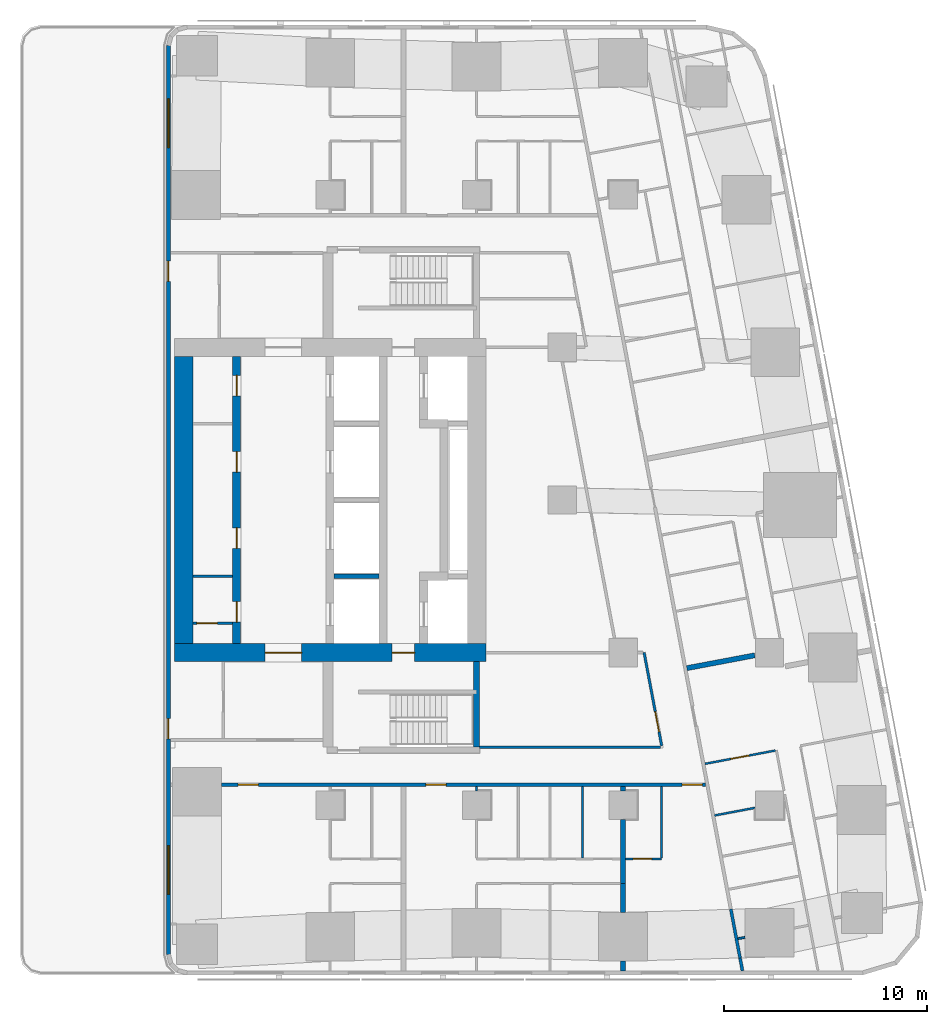
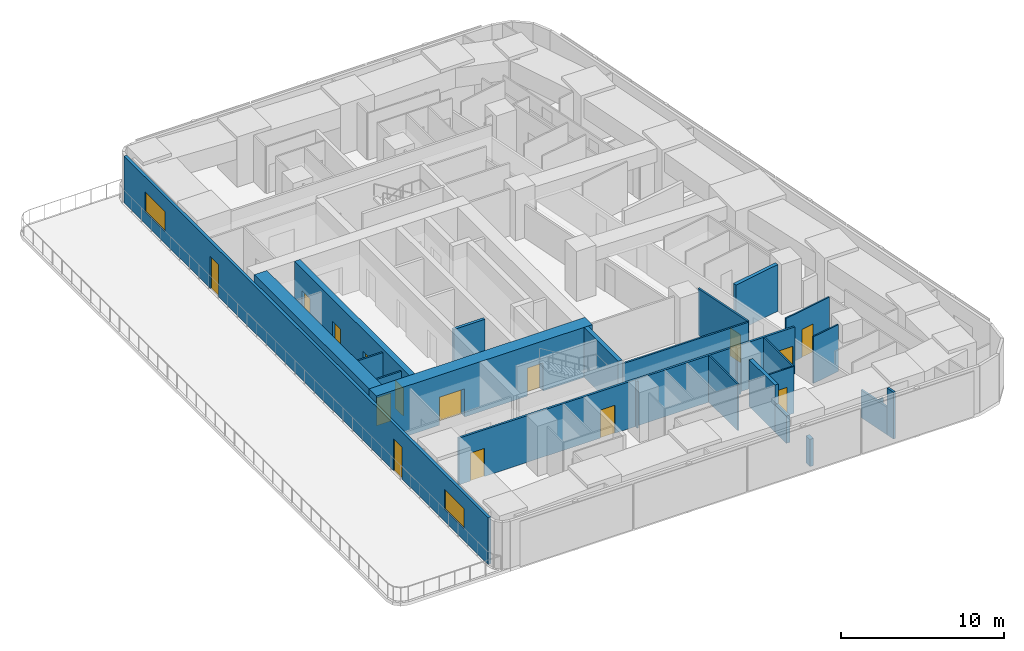
# One storey, part 3 of 11: 25 walls, 15 doors, 2 windows, 17 openings.
"""IFC4 building model written with IfcOpenShell, lengths in metres."""

from ifc_helpers import new_model, si_unit, direction, frame, frame_2d, origin, place, context, subcontext, project, spatial, rectangle, extrude, material, layer, layer_set, type_object, element, fill, save


model = new_model("IFC4")

# Units and contexts
model_context = context("Model", 3, precision=1e-05, world=origin(), true_north=direction((0.0, 1.0)))
body_context = subcontext(model_context, "Body", "Model", "MODEL_VIEW")
ifc_project = project(units=[si_unit("LENGTHUNIT", "METRE"), si_unit("AREAUNIT", "SQUARE_METRE"), si_unit("VOLUMEUNIT", "CUBIC_METRE"), si_unit("PLANEANGLEUNIT", "RADIAN"), si_unit("MASSUNIT", "GRAM", prefix="KILO")], contexts=[model_context])

# Site, building, storey
site_placement = place(None, origin())
site = spatial("IfcSite", under=ifc_project, at=site_placement, CompositionType="ELEMENT")
building_placement = place(site_placement, origin())
building = spatial("IfcBuilding", under=site, at=building_placement, Name="Sheger Commons Tower", CompositionType="ELEMENT")
storey_placement = place(building_placement, frame((0.0, 0.0, 223.699951171875)))
storey = spatial("IfcBuildingStorey", under=building, at=storey_placement, Name="L57", CompositionType="ELEMENT", Elevation=223.699951171875)

# Wall, openings, doors
ifc_material_1 = material(Name="Concrete C50/60", Category="concrete")
ifc_layer_1 = layer(ifc_material_1, 0.39990234375)
ifc_layer_set_1 = layer_set([ifc_layer_1], Name="CORE INNER WALL 400")
wall_type_1 = type_object("IfcWallType", Name="CORE INNER WALL 400", PredefinedType="SHEAR", material=ifc_layer_set_1)
wall_1_placement = place(storey_placement, frame((17.0, 15.449951171875, 0.0), z_axis=(0.0, 0.0, 1.0), x_axis=(0.0, 1.0, 0.0)))
wall_1 = element("IfcWall", 1, at=wall_1_placement, inside=storey, type_object=wall_type_1, Name="Core inner wall A L57", PredefinedType="SHEAR", context=body_context, shape_type="SweptSolid", body=[
    extrude(rectangle(XDim=14.10009765625, YDim=0.39990234375, at=frame_2d((7.050048828125, 0.0))), origin(), (0.0, 0.0, 1.0), 3.75),
])
opening_1_placement = place(wall_1_placement, frame((1.050048828125, 0.0, 0.0)))
opening_1 = element("IfcOpeningElement", 2, at=opening_1_placement, cuts=wall_1, Name="Opening D4", PredefinedType="OPENING", context=body_context, shape_type="SweptSolid", body=[
    extrude(rectangle(XDim=1.0, YDim=2.10009765625, at=frame_2d((0.5, 1.050048828125))), frame((0.0, 0.2099609375, 0.0), z_axis=(0.0, -1.0, 0.0), x_axis=(1.0, 0.0, 0.0)), (0.0, 0.0, 1.0), 0.419921875),
])
opening_2_placement = place(wall_1_placement, frame((4.675048828125, 0.0, 0.0)))
opening_2 = element("IfcOpeningElement", 3, at=opening_2_placement, cuts=wall_1, Name="Opening D4", PredefinedType="OPENING", context=body_context, shape_type="SweptSolid", body=[
    extrude(rectangle(XDim=1.0, YDim=2.10009765625, at=frame_2d((0.5, 1.050048828125))), frame((0.0, 0.2099609375, 0.0), z_axis=(0.0, -1.0, 0.0), x_axis=(1.0, 0.0, 0.0)), (0.0, 0.0, 1.0), 0.419921875),
])
opening_3_placement = place(wall_1_placement, frame((8.425048828125, 0.0, 0.0)))
opening_3 = element("IfcOpeningElement", 4, at=opening_3_placement, cuts=wall_1, Name="Opening D4", PredefinedType="OPENING", context=body_context, shape_type="SweptSolid", body=[
    extrude(rectangle(XDim=1.0, YDim=2.10009765625, at=frame_2d((0.5, 1.050048828125))), frame((0.0, 0.2099609375, 0.0), z_axis=(0.0, -1.0, 0.0), x_axis=(1.0, 0.0, 0.0)), (0.0, 0.0, 1.0), 0.419921875),
])
opening_4_placement = place(wall_1_placement, frame((12.175048828125, 0.0, 0.0)))
opening_4 = element("IfcOpeningElement", 5, at=opening_4_placement, cuts=wall_1, Name="Opening D4", PredefinedType="OPENING", context=body_context, shape_type="SweptSolid", body=[
    extrude(rectangle(XDim=1.0, YDim=2.10009765625, at=frame_2d((0.5, 1.050048828125))), frame((0.0, 0.2099609375, 0.0), z_axis=(0.0, -1.0, 0.0), x_axis=(1.0, 0.0, 0.0)), (0.0, 0.0, 1.0), 0.419921875),
])
ifc_material_2 = material(Name="Steel door set, fire rated", Category="steel")
door_type_1 = type_object("IfcDoorType", Name="SERVICE DOOR 1000x2100", OperationType="NOTDEFINED", PredefinedType="DOOR", material=ifc_material_2)
door_1_placement = place(opening_1_placement, origin())
door_1 = element("IfcDoor", 6, at=door_1_placement, inside=storey, type_object=door_type_1, Name="Estate store door", OperationType="SINGLE_SWING_LEFT", OverallHeight=2.10009765625, OverallWidth=1.0, PredefinedType="DOOR", context=body_context, shape_type="SweptSolid", body=[
    extrude(rectangle(XDim=1.0, YDim=2.10009765625, at=frame_2d((0.5, 1.050048828125))), frame((0.0, 0.02490234375, 0.0), z_axis=(0.0, -1.0, 0.0), x_axis=(1.0, 0.0, 0.0)), (0.0, 0.0, 1.0), 0.050048828125),
])
fill(opening_1, door_1)
door_2_placement = place(opening_2_placement, origin())
door_2 = element("IfcDoor", 7, at=door_2_placement, inside=storey, type_object=door_type_1, Name="Bulky waste store door", OperationType="SINGLE_SWING_LEFT", OverallHeight=2.10009765625, OverallWidth=1.0, PredefinedType="DOOR", context=body_context, shape_type="SweptSolid", body=[
    extrude(rectangle(XDim=1.0, YDim=2.10009765625, at=frame_2d((0.5, 1.050048828125))), frame((0.0, 0.02490234375, 0.0), z_axis=(0.0, -1.0, 0.0), x_axis=(1.0, 0.0, 0.0)), (0.0, 0.0, 1.0), 0.050048828125),
])
fill(opening_2, door_2)
door_3_placement = place(opening_3_placement, origin())
door_3 = element("IfcDoor", 8, at=door_3_placement, inside=storey, type_object=door_type_1, Name="Bulky waste store door", OperationType="SINGLE_SWING_RIGHT", OverallHeight=2.10009765625, OverallWidth=1.0, PredefinedType="DOOR", context=body_context, shape_type="SweptSolid", body=[
    extrude(rectangle(XDim=1.0, YDim=2.10009765625, at=frame_2d((0.5, 1.050048828125))), frame((0.0, 0.02490234375, 0.0), z_axis=(0.0, -1.0, 0.0), x_axis=(1.0, 0.0, 0.0)), (0.0, 0.0, 1.0), 0.050048828125),
])
fill(opening_3, door_3)
door_4_placement = place(opening_4_placement, origin())
door_4 = element("IfcDoor", 9, at=door_4_placement, inside=storey, type_object=door_type_1, Name="Staff WC door", OperationType="SINGLE_SWING_RIGHT", OverallHeight=2.10009765625, OverallWidth=1.0, PredefinedType="DOOR", context=body_context, shape_type="SweptSolid", body=[
    extrude(rectangle(XDim=1.0, YDim=2.10009765625, at=frame_2d((0.5, 1.050048828125))), frame((0.0, 0.02490234375, 0.0), z_axis=(0.0, -1.0, 0.0), x_axis=(1.0, 0.0, 0.0)), (0.0, 0.0, 1.0), 0.050048828125),
])
fill(opening_4, door_4)

ifc_material_3 = material(Name="Concrete C50/60", Category="concrete")
ifc_layer_2 = layer(ifc_material_3, 0.89990234375)
ifc_layer_set_2 = layer_set([ifc_layer_2], Name="CORE WALL 900")
wall_type_2 = type_object("IfcWallType", Name="CORE WALL 900", PredefinedType="SHEAR", material=ifc_layer_set_2)
wall_2_placement = place(storey_placement, frame((13.949951171875, 15.0, 0.0), z_axis=(0.0, 0.0, 1.0), x_axis=(1.0, 0.0, 0.0)))
wall_2 = element("IfcWall", 10, at=wall_2_placement, inside=storey, type_object=wall_type_2, Name="Core wall south L57", PredefinedType="SHEAR", context=body_context, shape_type="SweptSolid", body=[
    extrude(rectangle(XDim=15.300048828125, YDim=0.89990234375, at=frame_2d((7.64990234375, 0.0))), origin(), (0.0, 0.0, 1.0), 3.75),
])
opening_5_placement = place(wall_2_placement, frame((4.449951171875, 0.0, 0.0)))
opening_5 = element("IfcOpeningElement", 11, at=opening_5_placement, cuts=wall_2, Name="Opening D6", PredefinedType="OPENING", context=body_context, shape_type="SweptSolid", body=[
    extrude(rectangle(XDim=1.800048828125, YDim=2.10009765625, at=frame_2d((0.89990234375, 1.050048828125))), frame((0.0, 0.4599609375, 0.0), z_axis=(0.0, -1.0, 0.0), x_axis=(1.0, 0.0, 0.0)), (0.0, 0.0, 1.0), 0.919921875),
])
opening_6_placement = place(wall_2_placement, frame((10.699951171875, 0.0, 0.0)))
opening_6 = element("IfcOpeningElement", 12, at=opening_6_placement, cuts=wall_2, Name="Opening D5", PredefinedType="OPENING", context=body_context, shape_type="SweptSolid", body=[
    extrude(rectangle(XDim=1.10009765625, YDim=2.10009765625, at=frame_2d((0.550048828125, 1.050048828125))), frame((0.0, 0.4599609375, 0.0), z_axis=(0.0, -1.0, 0.0), x_axis=(1.0, 0.0, 0.0)), (0.0, 0.0, 1.0), 0.919921875),
])
ifc_material_4 = material(Name="Steel door set, fire rated", Category="steel")
door_type_2 = type_object("IfcDoorType", Name="LOBBY DOUBLE DOOR 1800x2100", OperationType="DOUBLE_DOOR_SINGLE_SWING", PredefinedType="DOOR", material=ifc_material_4)
door_5_placement = place(opening_5_placement, origin())
door_5 = element("IfcDoor", 13, at=door_5_placement, inside=storey, type_object=door_type_2, Name="Lift lobby door", OperationType="DOUBLE_DOOR_SINGLE_SWING", OverallHeight=2.10009765625, OverallWidth=1.800048828125, PredefinedType="DOOR", context=body_context, shape_type="SweptSolid", body=[
    extrude(rectangle(XDim=1.800048828125, YDim=2.10009765625, at=frame_2d((0.89990234375, 1.050048828125))), frame((0.0, 0.02490234375, 0.0), z_axis=(0.0, -1.0, 0.0), x_axis=(1.0, 0.0, 0.0)), (0.0, 0.0, 1.0), 0.050048828125),
])
fill(opening_5, door_5)
ifc_material_5 = material(Name="Steel door set, fire rated", Category="steel")
door_type_3 = type_object("IfcDoorType", Name="STAIR DOOR 1100x2100", OperationType="NOTDEFINED", PredefinedType="DOOR", material=ifc_material_5)
door_6_placement = place(opening_6_placement, origin())
door_6 = element("IfcDoor", 14, at=door_6_placement, inside=storey, type_object=door_type_3, Name="Fire-fighting lobby door", OperationType="SINGLE_SWING_LEFT", OverallHeight=2.10009765625, OverallWidth=1.10009765625, PredefinedType="DOOR", context=body_context, shape_type="SweptSolid", body=[
    extrude(rectangle(XDim=1.10009765625, YDim=2.10009765625, at=frame_2d((0.550048828125, 1.050048828125))), frame((0.0, 0.02490234375, 0.0), z_axis=(0.0, -1.0, 0.0), x_axis=(1.0, 0.0, 0.0)), (0.0, 0.0, 1.0), 0.050048828125),
])
fill(opening_6, door_6)

# Wall
wall_3_placement = place(storey_placement, frame((14.39990234375, 15.449951171875, 0.0), z_axis=(0.0, 0.0, 1.0), x_axis=(0.0, 1.0, 0.0)))
element("IfcWall", 15, at=wall_3_placement, inside=storey, type_object=wall_type_2, Name="Core wall west L57", PredefinedType="SHEAR", context=body_context, shape_type="SweptSolid", body=[
    extrude(rectangle(XDim=14.10009765625, YDim=0.89990234375, at=frame_2d((7.050048828125, 0.0))), origin(), (0.0, 0.0, 1.0), 3.75),
])

# Wall, openings, doors
ifc_material_6 = material(Name="Hollow concrete block masonry, skimmed both sides", Category="masonry")
ifc_layer_3 = layer(ifc_material_6, 0.14990234375)
ifc_layer_set_3 = layer_set([ifc_layer_3], Name="CORRIDOR WALL 150")
wall_type_3 = type_object("IfcWallType", Name="CORRIDOR WALL 150", PredefinedType="SOLIDWALL", material=ifc_layer_set_3)
wall_4_placement = place(storey_placement, frame((40.052978515625, 8.5, 0.0), z_axis=(0.0, 0.0, 1.0), x_axis=(-1.0, 0.0, 0.0)))
wall_4 = element("IfcWall", 16, at=wall_4_placement, inside=storey, type_object=wall_type_3, Name="Corridor wall L57", PredefinedType="SOLIDWALL", context=body_context, shape_type="SweptSolid", body=[
    extrude(rectangle(XDim=23.798095703125, YDim=0.14990234375, at=frame_2d((11.89892578125, 0.0))), origin(), (0.0, 0.0, 1.0), 3.5),
])
opening_7_placement = place(wall_4_placement, frame((21.97802734375, 0.0, 0.0)))
opening_7 = element("IfcOpeningElement", 17, at=opening_7_placement, cuts=wall_4, Name="Opening D1", PredefinedType="OPENING", context=body_context, shape_type="SweptSolid", body=[
    extrude(rectangle(XDim=1.0, YDim=2.10009765625, at=frame_2d((0.5, 1.050048828125))), frame((0.0, 0.0849609375, 0.0), z_axis=(0.0, -1.0, 0.0), x_axis=(1.0, 0.0, 0.0)), (0.0, 0.0, 1.0), 0.169921875),
])
opening_8_placement = place(wall_4_placement, frame((12.7529296875, 0.0, 0.0)))
opening_8 = element("IfcOpeningElement", 18, at=opening_8_placement, cuts=wall_4, Name="Opening D1", PredefinedType="OPENING", context=body_context, shape_type="SweptSolid", body=[
    extrude(rectangle(XDim=1.0, YDim=2.10009765625, at=frame_2d((0.5, 1.050048828125))), frame((0.0, 0.0849609375, 0.0), z_axis=(0.0, -1.0, 0.0), x_axis=(1.0, 0.0, 0.0)), (0.0, 0.0, 1.0), 0.169921875),
])
opening_9_placement = place(wall_4_placement, frame((0.14990234375, 0.0, 0.0)))
opening_9 = element("IfcOpeningElement", 19, at=opening_9_placement, cuts=wall_4, Name="Opening D1", PredefinedType="OPENING", context=body_context, shape_type="SweptSolid", body=[
    extrude(rectangle(XDim=1.0, YDim=2.10009765625, at=frame_2d((0.5, 1.050048828125))), frame((0.0, 0.0849609375, 0.0), z_axis=(0.0, -1.0, 0.0), x_axis=(1.0, 0.0, 0.0)), (0.0, 0.0, 1.0), 0.169921875),
])
ifc_material_7 = material(Name="Steel door set, fire rated", Category="steel")
door_type_4 = type_object("IfcDoorType", Name="FLAT ENTRANCE DOOR 1000x2100", OperationType="NOTDEFINED", PredefinedType="DOOR", material=ifc_material_7)
door_7_placement = place(opening_7_placement, origin())
door_7 = element("IfcDoor", 20, at=door_7_placement, inside=storey, type_object=door_type_4, Name="Flat entrance door", OperationType="SINGLE_SWING_RIGHT", OverallHeight=2.10009765625, OverallWidth=1.0, PredefinedType="DOOR", context=body_context, shape_type="SweptSolid", body=[
    extrude(rectangle(XDim=1.0, YDim=2.10009765625, at=frame_2d((0.5, 1.050048828125))), frame((0.0, 0.02490234375, 0.0), z_axis=(0.0, -1.0, 0.0), x_axis=(1.0, 0.0, 0.0)), (0.0, 0.0, 1.0), 0.050048828125),
])
fill(opening_7, door_7)
door_8_placement = place(opening_8_placement, origin())
door_8 = element("IfcDoor", 21, at=door_8_placement, inside=storey, type_object=door_type_4, Name="Flat entrance door", OperationType="SINGLE_SWING_RIGHT", OverallHeight=2.10009765625, OverallWidth=1.0, PredefinedType="DOOR", context=body_context, shape_type="SweptSolid", body=[
    extrude(rectangle(XDim=1.0, YDim=2.10009765625, at=frame_2d((0.5, 1.050048828125))), frame((0.0, 0.02490234375, 0.0), z_axis=(0.0, -1.0, 0.0), x_axis=(1.0, 0.0, 0.0)), (0.0, 0.0, 1.0), 0.050048828125),
])
fill(opening_8, door_8)
door_9_placement = place(opening_9_placement, origin())
door_9 = element("IfcDoor", 22, at=door_9_placement, inside=storey, type_object=door_type_4, Name="Flat entrance door", OperationType="SINGLE_SWING_LEFT", OverallHeight=2.10009765625, OverallWidth=1.0, PredefinedType="DOOR", context=body_context, shape_type="SweptSolid", body=[
    extrude(rectangle(XDim=1.0, YDim=2.10009765625, at=frame_2d((0.5, 1.050048828125))), frame((0.0, 0.02490234375, 0.0), z_axis=(0.0, -1.0, 0.0), x_axis=(1.0, 0.0, 0.0)), (0.0, 0.0, 1.0), 0.050048828125),
])
fill(opening_9, door_9)

# Walls
wall_5_placement = place(storey_placement, frame((41.299072265625, 2.385009765625, 0.0), z_axis=(0.0, 0.0, 1.0), x_axis=(0.18529731833, -0.982682504077, 0.0)))
element("IfcWall", 23, at=wall_5_placement, inside=storey, type_object=wall_type_3, Name="Corridor wall L57", PredefinedType="SOLIDWALL", context=body_context, shape_type="SweptSolid", body=[
    extrude(rectangle(XDim=2.45458984375, YDim=0.14990234375, at=frame_2d((1.227294921875, 0.0))), origin(), (0.0, 0.0, 1.0), 2.050048828125),
])
wall_6_placement = place(storey_placement, frame((41.75390625, -0.027099609375, 0.0), z_axis=(0.0, 0.0, 1.0), x_axis=(0.186404157015, -0.982473149886, 0.0)))
element("IfcWall", 24, at=wall_6_placement, inside=storey, type_object=wall_type_3, Name="Corridor wall L57", PredefinedType="SOLIDWALL", context=body_context, shape_type="SweptSolid", body=[
    extrude(rectangle(XDim=0.634033203125, YDim=0.14990234375, at=frame_2d((0.31689453125, 0.0))), origin(), (0.0, 0.0, 1.0), 3.5),
])
ifc_material_8 = material(Name="Dense concrete block masonry, plastered both sides (separating wall between flats)", Category="masonry")
ifc_layer_4 = layer(ifc_material_8, 0.25)
ifc_layer_set_4 = layer_set([ifc_layer_4], Name="DEMISING WALL 250")
wall_type_4 = type_object("IfcWallType", Name="DEMISING WALL 250", PredefinedType="SOLIDWALL", material=ifc_layer_set_4)
wall_7_placement = place(storey_placement, frame((36.0, -0.64990234375, 0.0), z_axis=(0.0, 0.0, 1.0), x_axis=(0.0, 1.0, 0.0)))
element("IfcWall", 25, at=wall_7_placement, inside=storey, type_object=wall_type_4, Name="Demising wall L57", PredefinedType="SOLIDWALL", context=body_context, shape_type="SweptSolid", body=[
    extrude(rectangle(XDim=0.473876953125, YDim=0.25, at=frame_2d((0.23681640625, 0.0))), origin(), (0.0, 0.0, 1.0), 2.050048828125),
])
wall_8_placement = place(storey_placement, frame((36.0, 2.22607421875, 0.0), z_axis=(0.0, 0.0, 1.0), x_axis=(0.0, 1.0, 0.0)))
element("IfcWall", 26, at=wall_8_placement, inside=storey, type_object=wall_type_4, Name="Demising wall L57", PredefinedType="SOLIDWALL", context=body_context, shape_type="SweptSolid", body=[
    extrude(rectangle(XDim=1.423828125, YDim=0.25, at=frame_2d((0.7119140625, 0.0))), origin(), (0.0, 0.0, 1.0), 2.050048828125),
])
wall_9_placement = place(storey_placement, frame((36.0, 3.64990234375, 0.0), z_axis=(0.0, 0.0, 1.0), x_axis=(0.0, 1.0, 0.0)))
element("IfcWall", 27, at=wall_9_placement, inside=storey, type_object=wall_type_4, Name="Demising wall L57", PredefinedType="SOLIDWALL", context=body_context, shape_type="SweptSolid", body=[
    extrude(rectangle(XDim=3.149169921875, YDim=0.25, at=frame_2d((1.57470703125, 0.0))), origin(), (0.0, 0.0, 1.0), 3.5),
])
wall_10_placement = place(storey_placement, frame((36.0, 8.200927734375, 0.0), z_axis=(0.0, 0.0, 1.0), x_axis=(0.0, 1.0, 0.0)))
element("IfcWall", 28, at=wall_10_placement, inside=storey, type_object=wall_type_4, Name="Demising wall L57", PredefinedType="SOLIDWALL", context=body_context, shape_type="SweptSolid", body=[
    extrude(rectangle(XDim=0.22412109375, YDim=0.25, at=frame_2d((0.112060546875, 0.0))), origin(), (0.0, 0.0, 1.0), 3.5),
])
wall_11_placement = place(storey_placement, frame((42.47607421875, 14.863037109375, 0.0), z_axis=(0.0, 0.0, 1.0), x_axis=(-0.982603567712, -0.185715450942, 0.0)))
element("IfcWall", 29, at=wall_11_placement, inside=storey, type_object=wall_type_4, Name="Demising wall L57", PredefinedType="SOLIDWALL", context=body_context, shape_type="SweptSolid", body=[
    extrude(rectangle(XDim=3.398193359375, YDim=0.25, at=frame_2d((1.69921875, 0.0))), origin(), (0.0, 0.0, 1.0), 3.5),
])

# Wall, openings, doors, windows
ifc_material_9 = material(Name="Rendered concrete block masonry, dark grey", Category="masonry")
ifc_layer_5 = layer(ifc_material_9, 0.199951171875)
ifc_layer_set_5 = layer_set([ifc_layer_5], Name="FACADE WALL 200")
wall_type_5 = type_object("IfcWallType", Name="FACADE WALL 200", PredefinedType="SOLIDWALL", material=ifc_layer_set_5)
wall_12_placement = place(storey_placement, frame((13.64990234375, 44.8369140625, 0.0), z_axis=(0.0, 0.0, 1.0), x_axis=(0.0, -1.0, 0.0)))
wall_12 = element("IfcWall", 30, at=wall_12_placement, inside=storey, type_object=wall_type_5, Name="Facade wall L57", PredefinedType="SOLIDWALL", context=body_context, shape_type="SweptSolid", body=[
    extrude(rectangle(XDim=44.673828125, YDim=0.199951171875, at=frame_2d((22.3369140625, 0.0))), origin(), (0.0, 0.0, 1.0), 3.5),
])
opening_10_placement = place(wall_12_placement, frame((2.614013671875, 0.0, 0.89990234375)))
opening_10 = element("IfcOpeningElement", 31, at=opening_10_placement, cuts=wall_12, Name="Opening W1", PredefinedType="OPENING", context=body_context, shape_type="SweptSolid", body=[
    extrude(rectangle(XDim=2.39990234375, YDim=1.5, at=frame_2d((1.199951171875, 0.75))), frame((0.0, 0.10986328125, 0.0), z_axis=(0.0, -1.0, 0.0), x_axis=(1.0, 0.0, 0.0)), (0.0, 0.0, 1.0), 0.219970703125),
])
opening_11_placement = place(wall_12_placement, frame((39.3330078125, 0.0, 0.89990234375)))
opening_11 = element("IfcOpeningElement", 32, at=opening_11_placement, cuts=wall_12, Name="Opening W1", PredefinedType="OPENING", context=body_context, shape_type="SweptSolid", body=[
    extrude(rectangle(XDim=2.39990234375, YDim=1.5, at=frame_2d((1.199951171875, 0.75))), frame((0.0, 0.10986328125, 0.0), z_axis=(0.0, -1.0, 0.0), x_axis=(1.0, 0.0, 0.0)), (0.0, 0.0, 1.0), 0.219970703125),
])
opening_12_placement = place(wall_12_placement, frame((33.0869140625, 0.0, 0.0)))
opening_12 = element("IfcOpeningElement", 33, at=opening_12_placement, cuts=wall_12, Name="Opening DT1", PredefinedType="OPENING", context=body_context, shape_type="SweptSolid", body=[
    extrude(rectangle(XDim=1.0, YDim=2.39990234375, at=frame_2d((0.5, 1.199951171875))), frame((0.0, 0.10986328125, 0.0), z_axis=(0.0, -1.0, 0.0), x_axis=(1.0, 0.0, 0.0)), (0.0, 0.0, 1.0), 0.219970703125),
])
opening_13_placement = place(wall_12_placement, frame((10.5869140625, 0.0, 0.0)))
opening_13 = element("IfcOpeningElement", 34, at=opening_13_placement, cuts=wall_12, Name="Opening DT1", PredefinedType="OPENING", context=body_context, shape_type="SweptSolid", body=[
    extrude(rectangle(XDim=1.0, YDim=2.39990234375, at=frame_2d((0.5, 1.199951171875))), frame((0.0, 0.10986328125, 0.0), z_axis=(0.0, -1.0, 0.0), x_axis=(1.0, 0.0, 0.0)), (0.0, 0.0, 1.0), 0.219970703125),
])
ifc_material_10 = material(Name="Black aluminium frame, dark tinted glazing", Category="aluminium")
door_type_5 = type_object("IfcDoorType", Name="TERRACE DOOR 1000x2400", OperationType="SINGLE_SWING_RIGHT", PredefinedType="DOOR", material=ifc_material_10)
door_10_placement = place(opening_12_placement, origin())
door_10 = element("IfcDoor", 35, at=door_10_placement, inside=storey, type_object=door_type_5, Name="Terrace door", OperationType="SINGLE_SWING_RIGHT", OverallHeight=2.39990234375, OverallWidth=1.0, PredefinedType="DOOR", context=body_context, shape_type="SweptSolid", body=[
    extrude(rectangle(XDim=1.0, YDim=2.39990234375, at=frame_2d((0.5, 1.199951171875))), frame((0.0, 0.02490234375, 0.0), z_axis=(0.0, -1.0, 0.0), x_axis=(1.0, 0.0, 0.0)), (0.0, 0.0, 1.0), 0.050048828125),
])
fill(opening_12, door_10)
door_11_placement = place(opening_13_placement, origin())
door_11 = element("IfcDoor", 36, at=door_11_placement, inside=storey, type_object=door_type_5, Name="Terrace door", OperationType="SINGLE_SWING_RIGHT", OverallHeight=2.39990234375, OverallWidth=1.0, PredefinedType="DOOR", context=body_context, shape_type="SweptSolid", body=[
    extrude(rectangle(XDim=1.0, YDim=2.39990234375, at=frame_2d((0.5, 1.199951171875))), frame((0.0, 0.02490234375, 0.0), z_axis=(0.0, -1.0, 0.0), x_axis=(1.0, 0.0, 0.0)), (0.0, 0.0, 1.0), 0.050048828125),
])
fill(opening_13, door_11)
ifc_material_11 = material(Name="Black aluminium frame, dark tinted double glazing", Category="aluminium")
window_type = type_object("IfcWindowType", Name="WINDOW W1 2400x1500", PartitioningType="SINGLE_PANEL", PredefinedType="WINDOW", material=ifc_material_11)
window_1_placement = place(opening_10_placement, origin())
window_1 = element("IfcWindow", 37, at=window_1_placement, inside=storey, type_object=window_type, Name="Window W1 2400X1500", OverallHeight=1.5, OverallWidth=2.39990234375, PartitioningType="SINGLE_PANEL", PredefinedType="WINDOW", context=body_context, shape_type="SweptSolid", body=[
    extrude(rectangle(XDim=2.39990234375, YDim=1.5, at=frame_2d((1.199951171875, 0.75))), frame((0.0, 0.030029296875, 0.0), z_axis=(0.0, -1.0, 0.0), x_axis=(1.0, 0.0, 0.0)), (0.0, 0.0, 1.0), 0.06005859375),
])
fill(opening_10, window_1)
window_2_placement = place(opening_11_placement, origin())
window_2 = element("IfcWindow", 38, at=window_2_placement, inside=storey, type_object=window_type, Name="Window W1 2400X1500", OverallHeight=1.5, OverallWidth=2.39990234375, PartitioningType="SINGLE_PANEL", PredefinedType="WINDOW", context=body_context, shape_type="SweptSolid", body=[
    extrude(rectangle(XDim=2.39990234375, YDim=1.5, at=frame_2d((1.199951171875, 0.75))), frame((0.0, 0.030029296875, 0.0), z_axis=(0.0, -1.0, 0.0), x_axis=(1.0, 0.0, 0.0)), (0.0, 0.0, 1.0), 0.06005859375),
])
fill(opening_11, window_2)

# Walls
ifc_material_12 = material(Name="Gypsum board on steel studs", Category="steel")
ifc_layer_6 = layer(ifc_material_12, 0.10009765625)
ifc_layer_set_6 = layer_set([ifc_layer_6], Name="PARTITION 100")
wall_type_6 = type_object("IfcWallType", Name="PARTITION 100", PredefinedType="PARTITIONING", material=ifc_layer_set_6)
wall_13_placement = place(storey_placement, frame((28.800048828125, 8.200927734375, 0.0), z_axis=(0.0, 0.0, 1.0), x_axis=(0.0, 1.0, 0.0)))
element("IfcWall", 39, at=wall_13_placement, inside=storey, type_object=wall_type_6, Name="Partition L57", PredefinedType="PARTITIONING", context=body_context, shape_type="SweptSolid", body=[
    extrude(rectangle(XDim=0.22412109375, YDim=0.10009765625, at=frame_2d((0.112060546875, 0.0))), origin(), (0.0, 0.0, 1.0), 3.5),
])
wall_14_placement = place(storey_placement, frame((34.0, 4.89990234375, 0.0), z_axis=(0.0, 0.0, 1.0), x_axis=(0.0, 1.0, 0.0)))
element("IfcWall", 40, at=wall_14_placement, inside=storey, type_object=wall_type_6, Name="Partition L57", PredefinedType="PARTITIONING", context=body_context, shape_type="SweptSolid", body=[
    extrude(rectangle(XDim=3.525146484375, YDim=0.10009765625, at=frame_2d((1.7626953125, 0.0))), origin(), (0.0, 0.0, 1.0), 3.5),
])

# Wall, opening, door
wall_15_placement = place(storey_placement, frame((37.889892578125, 4.85009765625, 0.0), z_axis=(0.0, 0.0, 1.0), x_axis=(-1.0, 0.0, 0.0)))
wall_15 = element("IfcWall", 41, at=wall_15_placement, inside=storey, type_object=wall_type_6, Name="Partition L57", PredefinedType="PARTITIONING", context=body_context, shape_type="SweptSolid", body=[
    extrude(rectangle(XDim=1.764892578125, YDim=0.10009765625, at=frame_2d((0.88232421875, 0.0))), origin(), (0.0, 0.0, 1.0), 3.5),
])
opening_14_placement = place(wall_15_placement, frame((0.489990234375, 0.0, 0.0)))
opening_14 = element("IfcOpeningElement", 42, at=opening_14_placement, cuts=wall_15, Name="Opening D2", PredefinedType="OPENING", context=body_context, shape_type="SweptSolid", body=[
    extrude(rectangle(XDim=0.89990234375, YDim=2.10009765625, at=frame_2d((0.449951171875, 1.050048828125))), frame((0.0, 0.06005859375, 0.0), z_axis=(0.0, -1.0, 0.0), x_axis=(1.0, 0.0, 0.0)), (0.0, 0.0, 1.0), 0.1201171875),
])
ifc_material_13 = material(Name="Timber door set", Category="wood")
door_type_6 = type_object("IfcDoorType", Name="INTERNAL DOOR 900x2100", OperationType="NOTDEFINED", PredefinedType="DOOR", material=ifc_material_13)
door_12_placement = place(opening_14_placement, origin())
door_12 = element("IfcDoor", 43, at=door_12_placement, inside=storey, type_object=door_type_6, Name="Shower room door", OperationType="SINGLE_SWING_LEFT", OverallHeight=2.10009765625, OverallWidth=0.89990234375, PredefinedType="DOOR", context=body_context, shape_type="SweptSolid", body=[
    extrude(rectangle(XDim=0.89990234375, YDim=2.10009765625, at=frame_2d((0.449951171875, 1.050048828125))), frame((0.0, 0.02490234375, 0.0), z_axis=(0.0, -1.0, 0.0), x_axis=(1.0, 0.0, 0.0)), (0.0, 0.0, 1.0), 0.050048828125),
])
fill(opening_14, door_12)

# Wall
wall_16_placement = place(storey_placement, frame((37.889892578125, 4.89990234375, 0.0), z_axis=(0.0, 0.0, 1.0), x_axis=(0.0, 1.0, 0.0)))
element("IfcWall", 44, at=wall_16_placement, inside=storey, type_object=wall_type_6, Name="Partition L57", PredefinedType="PARTITIONING", context=body_context, shape_type="SweptSolid", body=[
    extrude(rectangle(XDim=3.525146484375, YDim=0.10009765625, at=frame_2d((1.7626953125, 0.0))), origin(), (0.0, 0.0, 1.0), 3.5),
])

# Wall, opening, door
wall_17_placement = place(storey_placement, frame((43.489990234375, 10.18310546875, 0.0), z_axis=(0.0, 0.0, 1.0), x_axis=(-0.982588017646, -0.185797706064, 0.0)))
wall_17 = element("IfcWall", 45, at=wall_17_placement, inside=storey, type_object=wall_type_6, Name="Partition L57", PredefinedType="PARTITIONING", context=body_context, shape_type="SweptSolid", body=[
    extrude(rectangle(XDim=3.525390625, YDim=0.10009765625, at=frame_2d((1.7626953125, 0.0))), origin(), (0.0, 0.0, 1.0), 3.5),
])
opening_15_placement = place(wall_17_placement, frame((1.324951171875, 0.0, 0.0)))
opening_15 = element("IfcOpeningElement", 46, at=opening_15_placement, cuts=wall_17, Name="Opening D2", PredefinedType="OPENING", context=body_context, shape_type="SweptSolid", body=[
    extrude(rectangle(XDim=0.89990234375, YDim=2.10009765625, at=frame_2d((0.449951171875, 1.050048828125))), frame((0.0, 0.06005859375, 0.0), z_axis=(0.0, -1.0, 0.0), x_axis=(1.0, 0.0, 0.0)), (0.0, 0.0, 1.0), 0.1201171875),
])
door_13_placement = place(opening_15_placement, origin())
door_13 = element("IfcDoor", 47, at=door_13_placement, inside=storey, type_object=door_type_6, Name="Store door", OperationType="SINGLE_SWING_LEFT", OverallHeight=2.10009765625, OverallWidth=0.89990234375, PredefinedType="DOOR", context=body_context, shape_type="SweptSolid", body=[
    extrude(rectangle(XDim=0.89990234375, YDim=2.10009765625, at=frame_2d((0.449951171875, 1.050048828125))), frame((0.0, 0.02490234375, 0.0), z_axis=(0.0, -1.0, 0.0), x_axis=(1.0, 0.0, 0.0)), (0.0, 0.0, 1.0), 0.050048828125),
])
fill(opening_15, door_13)

# Walls
wall_18_placement = place(storey_placement, frame((42.489990234375, 7.365966796875, 0.0), z_axis=(0.0, 0.0, 1.0), x_axis=(-0.982620917875, -0.185623629302, 0.0)))
element("IfcWall", 48, at=wall_18_placement, inside=storey, type_object=wall_type_6, Name="Partition L57", PredefinedType="PARTITIONING", context=body_context, shape_type="SweptSolid", body=[
    extrude(rectangle(XDim=2.020263671875, YDim=0.10009765625, at=frame_2d((1.01025390625, 0.0))), origin(), (0.0, 0.0, 1.0), 3.5),
])
wall_19_placement = place(storey_placement, frame((41.989990234375, 0.99609375, 0.0), z_axis=(0.0, 0.0, 1.0), x_axis=(-0.982639822555, -0.185523527159, 0.0)))
element("IfcWall", 49, at=wall_19_placement, inside=storey, type_object=wall_type_6, Name="Partition L57", PredefinedType="PARTITIONING", context=body_context, shape_type="SweptSolid", body=[
    extrude(rectangle(XDim=0.34619140625, YDim=0.10009765625, at=frame_2d((0.173095703125, 0.0))), origin(), (0.0, 0.0, 1.0), 2.050048828125),
])
ifc_material_14 = material(Name="Gypsum board on steel studs, two layers each side, fire rated", Category="steel")
ifc_layer_7 = layer(ifc_material_14, 0.125)
ifc_layer_set_7 = layer_set([ifc_layer_7], Name="SERVICE WALL 125")
wall_type_7 = type_object("IfcWallType", Name="SERVICE WALL 125", PredefinedType="PARTITIONING", material=ifc_layer_set_7)
wall_20_placement = place(storey_placement, frame((28.949951171875, 10.35009765625, 0.0), z_axis=(0.0, 0.0, 1.0), x_axis=(1.0, 0.0, 0.0)))
element("IfcWall", 50, at=wall_20_placement, inside=storey, type_object=wall_type_7, Name="Service room wall L57", PredefinedType="PARTITIONING", context=body_context, shape_type="SweptSolid", body=[
    extrude(rectangle(XDim=8.885986328125, YDim=0.125, at=frame_2d((4.44287109375, 0.0))), origin(), (0.0, 0.0, 1.0), 3.5),
])

# Wall, opening, door
wall_21_placement = place(storey_placement, frame((37.89990234375, 10.4130859375, 0.0), z_axis=(0.0, 0.0, 1.0), x_axis=(-0.185513629891, 0.982641691119, 0.0)))
wall_21 = element("IfcWall", 51, at=wall_21_placement, inside=storey, type_object=wall_type_7, Name="Service room wall L57", PredefinedType="PARTITIONING", context=body_context, shape_type="SweptSolid", body=[
    extrude(rectangle(XDim=4.66796875, YDim=0.125, at=frame_2d((2.333984375, 0.0))), origin(), (0.0, 0.0, 1.0), 3.5),
])
opening_16_placement = place(wall_21_placement, frame((0.7080078125, 0.0, 0.0)))
opening_16 = element("IfcOpeningElement", 52, at=opening_16_placement, cuts=wall_21, Name="Opening D4", PredefinedType="OPENING", context=body_context, shape_type="SweptSolid", body=[
    extrude(rectangle(XDim=1.0, YDim=2.10009765625, at=frame_2d((0.5, 1.050048828125))), frame((0.0, 0.072509765625, 0.0), z_axis=(0.0, -1.0, 0.0), x_axis=(1.0, 0.0, 0.0)), (0.0, 0.0, 1.0), 0.14501953125),
])
door_14_placement = place(opening_16_placement, origin())
door_14 = element("IfcDoor", 53, at=door_14_placement, inside=storey, type_object=door_type_1, Name="Parcel and delivery room door", OperationType="SINGLE_SWING_LEFT", OverallHeight=2.10009765625, OverallWidth=1.0, PredefinedType="DOOR", context=body_context, shape_type="SweptSolid", body=[
    extrude(rectangle(XDim=1.0, YDim=2.10009765625, at=frame_2d((0.5, 1.050048828125))), frame((0.0, 0.02490234375, 0.0), z_axis=(0.0, -1.0, 0.0), x_axis=(1.0, 0.0, 0.0)), (0.0, 0.0, 1.0), 0.050048828125),
])
fill(opening_16, door_14)

wall_22_placement = place(storey_placement, frame((14.85009765625, 16.449951171875, 0.0), z_axis=(0.0, 0.0, 1.0), x_axis=(1.0, 0.0, 0.0)))
wall_22 = element("IfcWall", 54, at=wall_22_placement, inside=storey, type_object=wall_type_7, Name="Service room wall L57", PredefinedType="PARTITIONING", context=body_context, shape_type="SweptSolid", body=[
    extrude(rectangle(XDim=1.949951171875, YDim=0.125, at=frame_2d((0.97509765625, 0.0))), origin(), (0.0, 0.0, 1.0), 3.5),
])
opening_17_placement = place(wall_22_placement, frame((0.199951171875, 0.0, 0.0)))
opening_17 = element("IfcOpeningElement", 55, at=opening_17_placement, cuts=wall_22, Name="Opening D4", PredefinedType="OPENING", context=body_context, shape_type="SweptSolid", body=[
    extrude(rectangle(XDim=1.0, YDim=2.10009765625, at=frame_2d((0.5, 1.050048828125))), frame((0.0, 0.072509765625, 0.0), z_axis=(0.0, -1.0, 0.0), x_axis=(1.0, 0.0, 0.0)), (0.0, 0.0, 1.0), 0.14501953125),
])
door_15_placement = place(opening_17_placement, origin())
door_15 = element("IfcDoor", 56, at=door_15_placement, inside=storey, type_object=door_type_1, Name="Electrical riser door", OperationType="SINGLE_SWING_RIGHT", OverallHeight=2.10009765625, OverallWidth=1.0, PredefinedType="DOOR", context=body_context, shape_type="SweptSolid", body=[
    extrude(rectangle(XDim=1.0, YDim=2.10009765625, at=frame_2d((0.5, 1.050048828125))), frame((0.0, 0.02490234375, 0.0), z_axis=(0.0, -1.0, 0.0), x_axis=(1.0, 0.0, 0.0)), (0.0, 0.0, 1.0), 0.050048828125),
])
fill(opening_17, door_15)

# Walls
wall_23_placement = place(storey_placement, frame((14.85009765625, 18.75, 0.0), z_axis=(0.0, 0.0, 1.0), x_axis=(1.0, 0.0, 0.0)))
element("IfcWall", 57, at=wall_23_placement, inside=storey, type_object=wall_type_7, Name="Service room wall L57", PredefinedType="PARTITIONING", context=body_context, shape_type="SweptSolid", body=[
    extrude(rectangle(XDim=1.949951171875, YDim=0.125, at=frame_2d((0.97509765625, 0.0))), origin(), (0.0, 0.0, 1.0), 3.5),
])
ifc_material_15 = material(Name="Hollow concrete block masonry", Category="masonry")
ifc_layer_8 = layer(ifc_material_15, 0.199951171875)
ifc_layer_set_8 = layer_set([ifc_layer_8], Name="SHAFT WALL 200")
wall_type_8 = type_object("IfcWallType", Name="SHAFT WALL 200", PredefinedType="SOLIDWALL", material=ifc_layer_set_8)
wall_24_placement = place(storey_placement, frame((21.800048828125, 18.75, 0.0), z_axis=(0.0, 0.0, 1.0), x_axis=(1.0, 0.0, 0.0)))
element("IfcWall", 58, at=wall_24_placement, inside=storey, type_object=wall_type_8, Name="Lift shaft wall L57", PredefinedType="SOLIDWALL", context=body_context, shape_type="SweptSolid", body=[
    extrude(rectangle(XDim=2.199951171875, YDim=0.199951171875, at=frame_2d((1.10009765625, 0.0))), origin(), (0.0, 0.0, 1.0), 3.5),
])
ifc_material_16 = material(Name="Concrete C50/60", Category="concrete")
ifc_layer_9 = layer(ifc_material_16, 0.300048828125)
ifc_layer_set_9 = layer_set([ifc_layer_9], Name="STAIR CORE WALL 300")
wall_type_9 = type_object("IfcWallType", Name="STAIR CORE WALL 300", PredefinedType="SHEAR", material=ifc_layer_set_9)
wall_25_placement = place(storey_placement, frame((28.800048828125, 10.35009765625, 0.0), z_axis=(0.0, 0.0, 1.0), x_axis=(0.0, 1.0, 0.0)))
element("IfcWall", 59, at=wall_25_placement, inside=storey, type_object=wall_type_9, Name="STW-L57-S1E", PredefinedType="SHEAR", context=body_context, shape_type="SweptSolid", body=[
    extrude(rectangle(XDim=4.199951171875, YDim=0.300048828125, at=frame_2d((2.10009765625, 0.0))), origin(), (0.0, 0.0, 1.0), 3.75),
])

save(model, "model.ifc")
